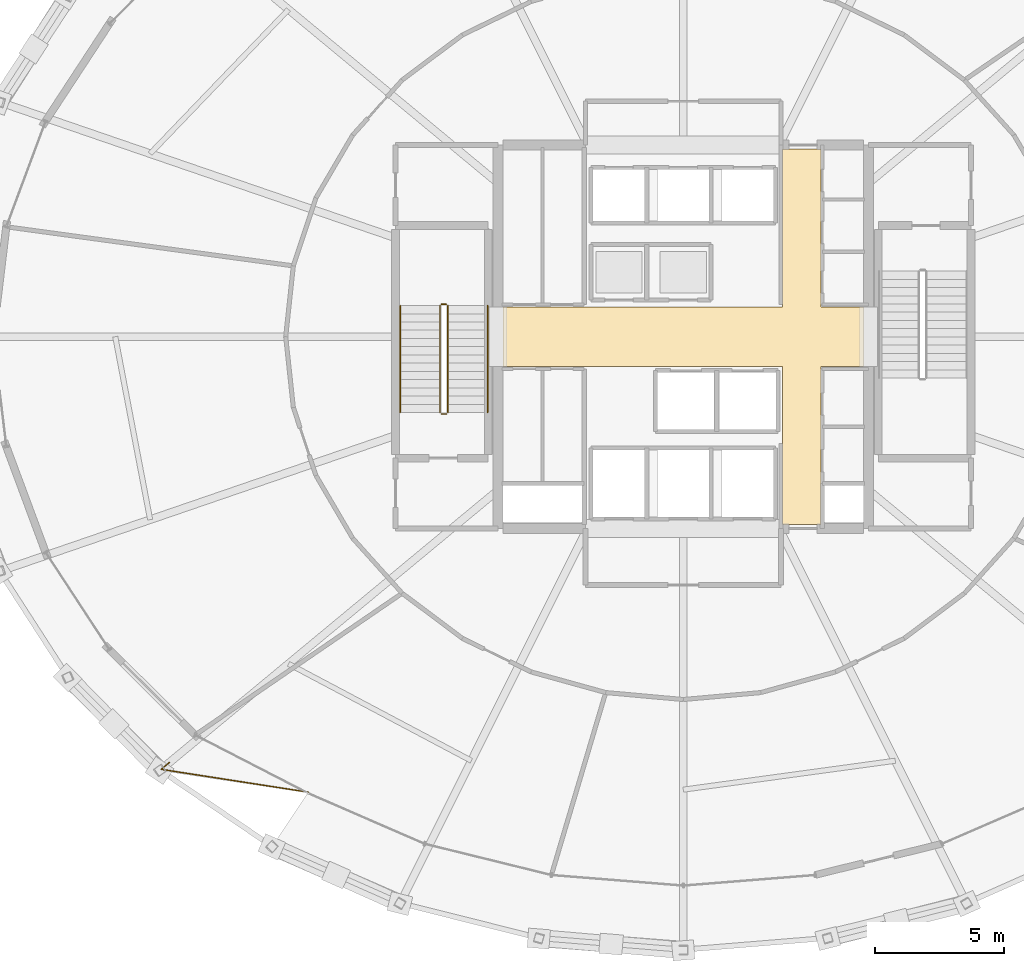
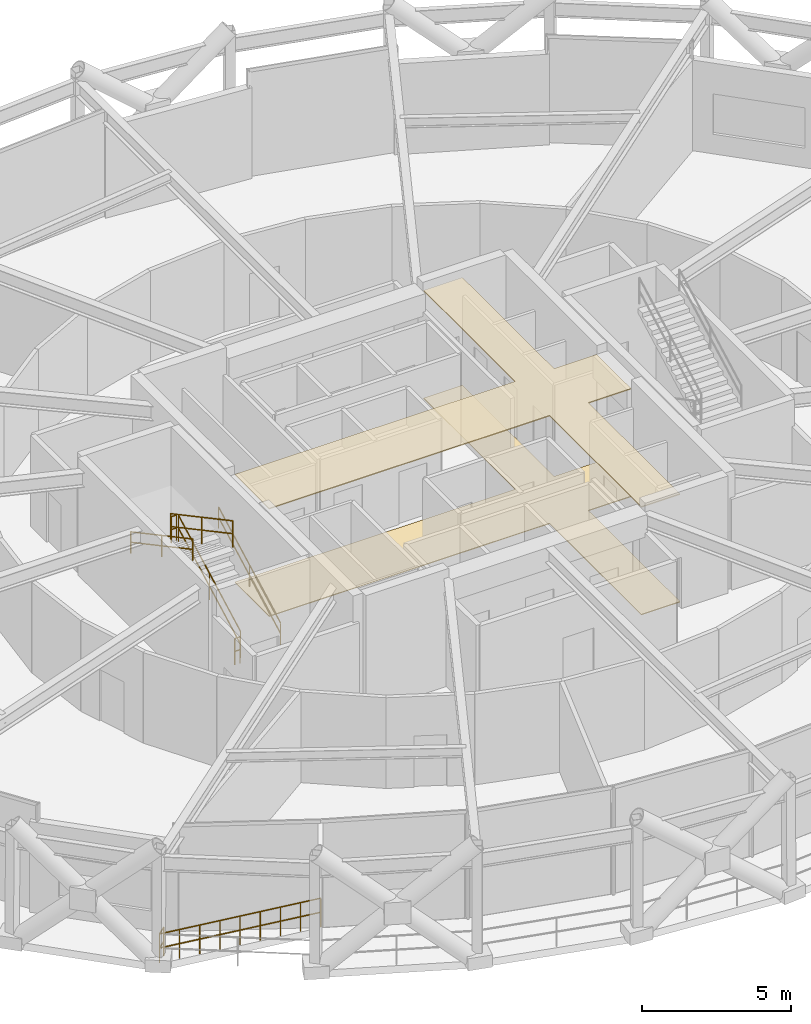
# One storey, part 36 of 39: 7 railings, 2 coverings.
"""IFC4 building model written with IfcOpenShell, lengths in metres."""

from ifc_helpers import new_model, si_unit, direction, frame, origin, origin_2d, place, context, subcontext, project, spatial, polyline, circle, outline, extrude, material, layer, layer_set, type_object, element, save


model = new_model("IFC4")

# Units and contexts
model_context = context("Model", 3, precision=1e-05, world=origin(), true_north=direction((0.0, 1.0)))
body_context = subcontext(model_context, "Body", "Model", "MODEL_VIEW")
ifc_project = project(units=[si_unit("LENGTHUNIT", "METRE"), si_unit("AREAUNIT", "SQUARE_METRE"), si_unit("VOLUMEUNIT", "CUBIC_METRE"), si_unit("PLANEANGLEUNIT", "RADIAN"), si_unit("MASSUNIT", "GRAM", prefix="KILO")], contexts=[model_context])

# Site, building, storey
site_placement = place(None, origin())
site = spatial("IfcSite", under=ifc_project, at=site_placement, CompositionType="ELEMENT")
building_placement = place(site_placement, origin())
building = spatial("IfcBuilding", under=site, at=building_placement, Name="Veldorina Hangang Commons", CompositionType="ELEMENT")
storey_placement = place(building_placement, frame((0.0, 0.0, 106.0)))
storey = spatial("IfcBuildingStorey", under=building, at=storey_placement, Name="L27", CompositionType="ELEMENT", Elevation=106.0)

# Coverings
ifc_material_1 = material(Name="Mineral Fibre Acoustic Tile", Category="gypsum")
ifc_layer_1 = layer(ifc_material_1, 0.0400390625)
ifc_layer_set_1 = layer_set([ifc_layer_1], Name="Mineral Fibre Acoustic Tile")
covering_type_1 = type_object("IfcCoveringType", Name="COV-CEIL-AC60", PredefinedType="CEILING", material=ifc_layer_set_1)
covering_1_placement = place(storey_placement, frame((0.0, 0.0, 4.39990234375)))
element("IfcCovering", 1, at=covering_1_placement, inside=storey, type_object=covering_type_1, Name="L27 lobby suspended acoustic ceiling", PredefinedType="CEILING", context=body_context, shape_type="SweptSolid", body=[
    extrude(outline(polyline([(25.0, 22.85009765625), (35.85009765625, 22.85009765625), (35.85009765625, 16.699951171875), (37.35009765625, 16.699951171875), (37.35009765625, 22.85009765625), (39.0, 22.85009765625), (39.0, 25.14990234375), (37.35009765625, 25.14990234375), (37.35009765625, 31.300048828125), (35.85009765625, 31.300048828125), (35.85009765625, 25.14990234375), (25.0, 25.14990234375), (25.0, 22.85009765625)])), origin(), (0.0, 0.0, 1.0), 0.0400390625),
])
ifc_material_2 = material(Name="Stone Venetian Terrazzo", Category="masonry")
ifc_layer_2 = layer(ifc_material_2, 0.030029296875)
ifc_layer_set_2 = layer_set([ifc_layer_2], Name="Stone Venetian Terrazzo")
covering_type_2 = type_object("IfcCoveringType", Name="COV-FLR-TERZ", PredefinedType="FLOORING", material=ifc_layer_set_2)
covering_2_placement = place(storey_placement, origin())
element("IfcCovering", 2, at=covering_2_placement, inside=storey, type_object=covering_type_2, Name="L27 lobby terrazzo floor finish", PredefinedType="FLOORING", context=body_context, shape_type="SweptSolid", body=[
    extrude(outline(polyline([(25.0, 22.85009765625), (35.85009765625, 22.85009765625), (35.85009765625, 16.699951171875), (37.35009765625, 16.699951171875), (37.35009765625, 22.85009765625), (39.0, 22.85009765625), (39.0, 25.14990234375), (37.35009765625, 25.14990234375), (37.35009765625, 31.300048828125), (35.85009765625, 31.300048828125), (35.85009765625, 25.14990234375), (25.0, 25.14990234375), (25.0, 22.85009765625)])), origin(), (0.0, 0.0, 1.0), 0.030029296875),
])

# Railings
ifc_material_3 = material(Name="Glass Laminated Safety Balustrade", Category="glass")
railing_type_1 = type_object("IfcRailingType", Name="RL-BAL-LOGGIA", PredefinedType="BALUSTRADE", material=ifc_material_3)
railing_1_placement = place(storey_placement, frame((12.032470703125, 7.455810546875, 0.0)))
element("IfcRailing", 3, at=railing_1_placement, inside=storey, type_object=railing_type_1, Name="L27 sky-garden loggia end balustrade A", PredefinedType="BALUSTRADE", context=body_context, shape_type="SweptSolid", body=[
    extrude(circle(Radius=0.02392578125, at=origin_2d()), frame((0.0, 0.0, 1.17578125), z_axis=(-0.769980774218, -0.638067086861, 0.0), x_axis=(0.638067086861, -0.769980774218, 0.0)), (0.0, 0.0, 1.0), 0.420166015625),
    extrude(circle(Radius=0.02392578125, at=origin_2d()), frame((0.0, 0.0, 0.60009765625), z_axis=(-0.769980774218, -0.638067086861, 0.0), x_axis=(0.638067086861, -0.769980774218, 0.0)), (0.0, 0.0, 1.0), 0.420166015625),
    extrude(circle(Radius=0.02392578125, at=origin_2d()), frame((-0.323486328125, -0.26806640625, 1.17578125), z_axis=(0.988117037772, -0.153703349556, 0.0), x_axis=(0.153703349556, 0.988117037772, 0.0)), (0.0, 0.0, 1.0), 5.79443359375),
    extrude(circle(Radius=0.02392578125, at=origin_2d()), frame((-0.323486328125, -0.26806640625, 0.60009765625), z_axis=(0.988117037772, -0.153703349556, 0.0), x_axis=(0.153703349556, 0.988117037772, 0.0)), (0.0, 0.0, 1.0), 5.79443359375),
    extrude(circle(Radius=0.02099609375, at=origin_2d()), origin(), (0.0, 0.0, 1.0), 1.15185546875),
    extrude(circle(Radius=0.02099609375, at=origin_2d()), frame((-0.323486328125, -0.26806640625, 0.0)), (0.0, 0.0, 1.0), 1.15185546875),
    extrude(circle(Radius=0.02099609375, at=origin_2d()), frame((0.39208984375, -0.37939453125, 0.0)), (0.0, 0.0, 1.0), 1.15185546875),
    extrude(circle(Radius=0.02099609375, at=origin_2d()), frame((1.10791015625, -0.49072265625, 0.0)), (0.0, 0.0, 1.0), 1.15185546875),
    extrude(circle(Radius=0.02099609375, at=origin_2d()), frame((1.82373046875, -0.60205078125, 0.0)), (0.0, 0.0, 1.0), 1.15185546875),
    extrude(circle(Radius=0.02099609375, at=origin_2d()), frame((2.539306640625, -0.71337890625, 0.0)), (0.0, 0.0, 1.0), 1.15185546875),
    extrude(circle(Radius=0.02099609375, at=origin_2d()), frame((3.2548828125, -0.82470703125, 0.0)), (0.0, 0.0, 1.0), 1.15185546875),
    extrude(circle(Radius=0.02099609375, at=origin_2d()), frame((3.970703125, -0.93603515625, 0.0)), (0.0, 0.0, 1.0), 1.15185546875),
    extrude(circle(Radius=0.02099609375, at=origin_2d()), frame((4.6865234375, -1.04736328125, 0.0)), (0.0, 0.0, 1.0), 1.15185546875),
    extrude(circle(Radius=0.02099609375, at=origin_2d()), frame((5.402099609375, -1.15869140625, 0.0)), (0.0, 0.0, 1.0), 1.15185546875),
])
ifc_material_4 = material(Name="Steel Painted Balustrade", Category="steel")
railing_type_2 = type_object("IfcRailingType", Name="RL-GRD-STAIR", PredefinedType="GUARDRAIL", material=ifc_material_4)
railing_2_placement = place(storey_placement, frame((22.85009765625, 21.050048828125, 0.17138671875)))
element("IfcRailing", 4, at=railing_2_placement, inside=storey, type_object=railing_type_2, Name="L27 ST-1 stair guard 1", PredefinedType="GUARDRAIL", context=body_context, shape_type="SweptSolid", body=[
    extrude(circle(Radius=0.02392578125, at=origin_2d()), frame((0.0, 0.0, 1.076171875), z_axis=(0.0, 0.881480739103, 0.472219976908), x_axis=(-1.0, 0.0, 0.0)), (0.0, 0.0, 1.0), 4.71923828125),
    extrude(circle(Radius=0.02392578125, at=origin_2d()), frame((0.0, 0.0, 0.550048828125), z_axis=(0.0, 0.881480739103, 0.472219976908), x_axis=(-1.0, 0.0, 0.0)), (0.0, 0.0, 1.0), 4.71923828125),
    extrude(circle(Radius=0.02099609375, at=origin_2d()), origin(), (0.0, 0.0, 1.0), 1.052001953125),
    extrude(circle(Radius=0.02099609375, at=origin_2d()), frame((0.0, 2.080078125, 1.1142578125)), (0.0, 0.0, 1.0), 1.052001953125),
    extrude(circle(Radius=0.02099609375, at=origin_2d()), frame((0.0, 4.159912109375, 2.228515625)), (0.0, 0.0, 1.0), 1.052001953125),
])
railing_3_placement = place(storey_placement, frame((22.800048828125, 25.260009765625, 2.39990234375)))
element("IfcRailing", 5, at=railing_3_placement, inside=storey, type_object=railing_type_2, Name="L27 ST-1 stair guard 2", PredefinedType="GUARDRAIL", context=body_context, shape_type="SweptSolid", body=[
    extrude(circle(Radius=0.02392578125, at=origin_2d()), frame((0.0, 0.0, 1.076171875), z_axis=(-1.0, 0.0, 0.0), x_axis=(0.0, -1.0, 0.0)), (0.0, 0.0, 1.0), 0.199951171875),
    extrude(circle(Radius=0.02392578125, at=origin_2d()), frame((0.0, 0.0, 0.550048828125), z_axis=(-1.0, 0.0, 0.0), x_axis=(0.0, -1.0, 0.0)), (0.0, 0.0, 1.0), 0.199951171875),
    extrude(circle(Radius=0.02099609375, at=origin_2d()), origin(), (0.0, 0.0, 1.0), 1.052001953125),
    extrude(circle(Radius=0.02099609375, at=origin_2d()), frame((-0.199951171875, 0.0, 0.0)), (0.0, 0.0, 1.0), 1.052001953125),
])
railing_4_placement = place(storey_placement, frame((22.550048828125, 25.2099609375, 2.571533203125)))
element("IfcRailing", 6, at=railing_4_placement, inside=storey, type_object=railing_type_2, Name="L27 ST-1 stair guard 3", PredefinedType="GUARDRAIL", context=body_context, shape_type="SweptSolid", body=[
    extrude(circle(Radius=0.02392578125, at=origin_2d()), frame((0.0, 0.0, 1.076171875), z_axis=(0.0, -0.881480739103, 0.472219976908), x_axis=(1.0, 0.0, 0.0)), (0.0, 0.0, 1.0), 4.71923828125),
    extrude(circle(Radius=0.02392578125, at=origin_2d()), frame((0.0, 0.0, 0.550048828125), z_axis=(0.0, -0.881480739103, 0.472219976908), x_axis=(1.0, 0.0, 0.0)), (0.0, 0.0, 1.0), 4.71923828125),
    extrude(circle(Radius=0.02099609375, at=origin_2d()), origin(), (0.0, 0.0, 1.0), 1.052001953125),
    extrude(circle(Radius=0.02099609375, at=origin_2d()), frame((0.0, -2.080078125, 1.1142578125)), (0.0, 0.0, 1.0), 1.052001953125),
    extrude(circle(Radius=0.02099609375, at=origin_2d()), frame((0.0, -4.159912109375, 2.228515625)), (0.0, 0.0, 1.0), 1.052001953125),
])
railing_5_placement = place(storey_placement, frame((22.800048828125, 21.0, 0.0)))
element("IfcRailing", 7, at=railing_5_placement, inside=storey, type_object=railing_type_2, Name="L27 ST-1 stair guard 4", PredefinedType="GUARDRAIL", context=body_context, shape_type="SweptSolid", body=[
    extrude(circle(Radius=0.02392578125, at=origin_2d()), frame((0.0, 0.0, 1.076171875), z_axis=(-1.0, 0.0, 0.0), x_axis=(0.0, -1.0, 0.0)), (0.0, 0.0, 1.0), 0.199951171875),
    extrude(circle(Radius=0.02392578125, at=origin_2d()), frame((0.0, 0.0, 0.550048828125), z_axis=(-1.0, 0.0, 0.0), x_axis=(0.0, -1.0, 0.0)), (0.0, 0.0, 1.0), 0.199951171875),
    extrude(circle(Radius=0.02099609375, at=origin_2d()), origin(), (0.0, 0.0, 1.0), 1.052001953125),
    extrude(circle(Radius=0.02099609375, at=origin_2d()), frame((-0.199951171875, 0.0, 0.0)), (0.0, 0.0, 1.0), 1.052001953125),
])
ifc_material_5 = material(Name="Stainless Steel Brushed 316", Category="steel")
railing_type_3 = type_object("IfcRailingType", Name="RL-HND-STAIR", PredefinedType="HANDRAIL", material=ifc_material_5)
railing_6_placement = place(storey_placement, frame((24.39990234375, 21.050048828125, 0.17138671875)))
element("IfcRailing", 8, at=railing_6_placement, inside=storey, type_object=railing_type_3, Name="L27 ST-1 stair handrail 1", PredefinedType="HANDRAIL", context=body_context, shape_type="SweptSolid", body=[
    extrude(circle(Radius=0.02392578125, at=origin_2d()), frame((0.0, 0.0, 0.8759765625), z_axis=(0.0, 0.881480739103, 0.472219976908), x_axis=(-1.0, 0.0, 0.0)), (0.0, 0.0, 1.0), 4.71923828125),
    extrude(circle(Radius=0.02392578125, at=origin_2d()), frame((0.0, 0.0, 0.449951171875), z_axis=(0.0, 0.881480739103, 0.472219976908), x_axis=(-1.0, 0.0, 0.0)), (0.0, 0.0, 1.0), 4.71923828125),
    extrude(circle(Radius=0.02099609375, at=origin_2d()), origin(), (0.0, 0.0, 1.0), 0.851806640625),
    extrude(circle(Radius=0.02099609375, at=origin_2d()), frame((0.0, 2.080078125, 1.1142578125)), (0.0, 0.0, 1.0), 0.851806640625),
    extrude(circle(Radius=0.02099609375, at=origin_2d()), frame((0.0, 4.159912109375, 2.228515625)), (0.0, 0.0, 1.0), 0.851806640625),
])
railing_7_placement = place(storey_placement, frame((21.0, 25.2099609375, 2.571533203125)))
element("IfcRailing", 9, at=railing_7_placement, inside=storey, type_object=railing_type_3, Name="L27 ST-1 stair handrail 2", PredefinedType="HANDRAIL", context=body_context, shape_type="SweptSolid", body=[
    extrude(circle(Radius=0.02392578125, at=origin_2d()), frame((0.0, 0.0, 0.8759765625), z_axis=(0.0, -0.881480739103, 0.472219976908), x_axis=(1.0, 0.0, 0.0)), (0.0, 0.0, 1.0), 4.71923828125),
    extrude(circle(Radius=0.02392578125, at=origin_2d()), frame((0.0, 0.0, 0.449951171875), z_axis=(0.0, -0.881480739103, 0.472219976908), x_axis=(1.0, 0.0, 0.0)), (0.0, 0.0, 1.0), 4.71923828125),
    extrude(circle(Radius=0.02099609375, at=origin_2d()), origin(), (0.0, 0.0, 1.0), 0.851806640625),
    extrude(circle(Radius=0.02099609375, at=origin_2d()), frame((0.0, -2.080078125, 1.1142578125)), (0.0, 0.0, 1.0), 0.851806640625),
    extrude(circle(Radius=0.02099609375, at=origin_2d()), frame((0.0, -4.159912109375, 2.228515625)), (0.0, 0.0, 1.0), 0.851806640625),
])

save(model, "model.ifc")
